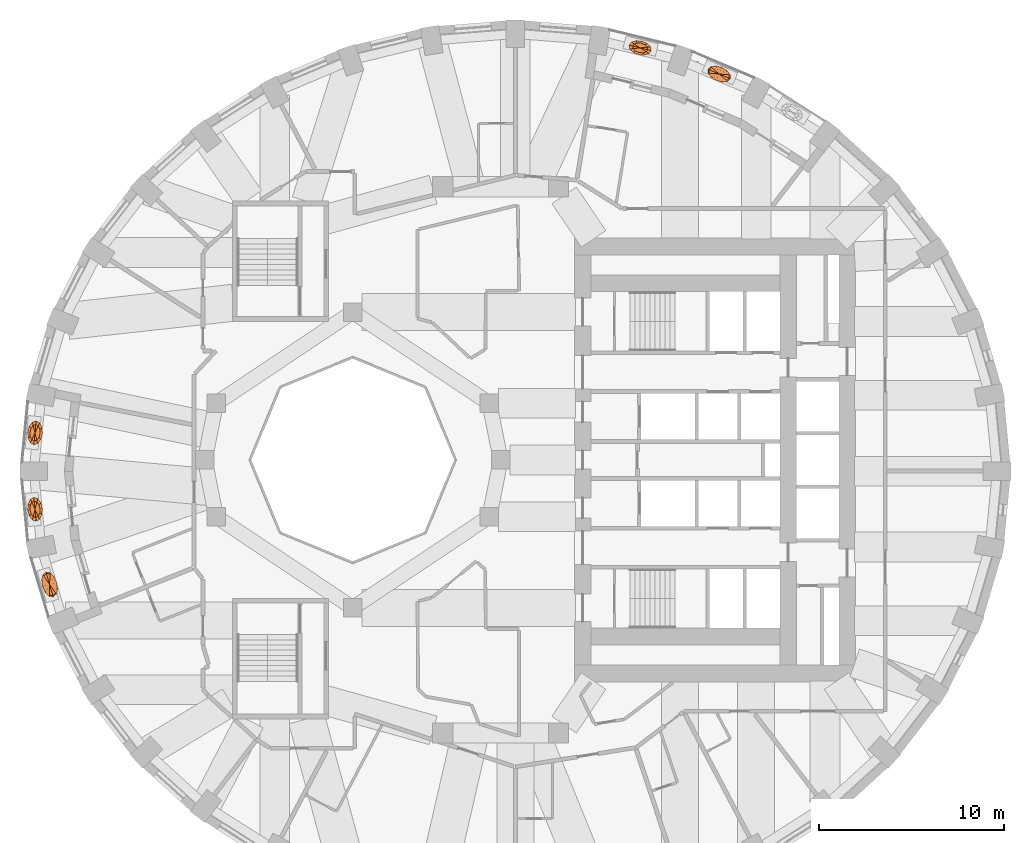
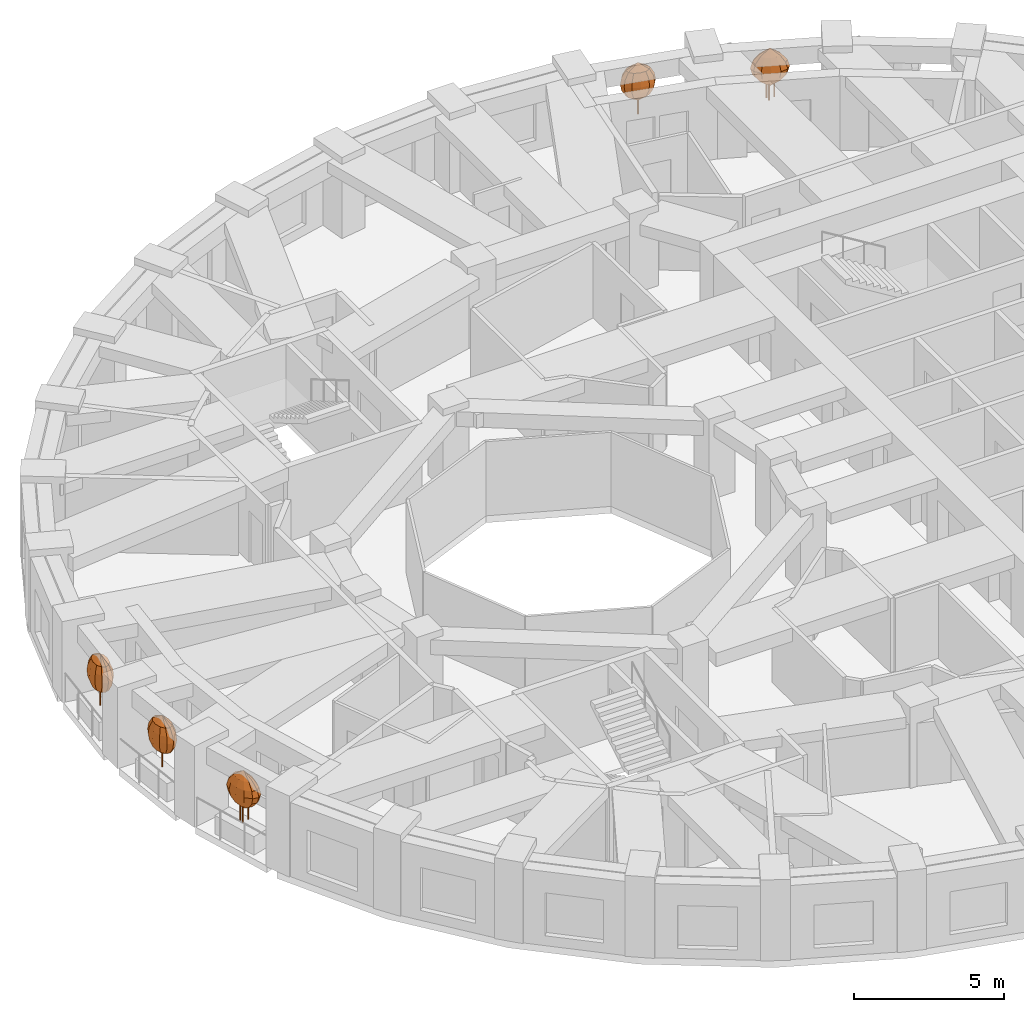
# One storey, part 11 of 12: 5 geographic elements.
"""IFC4 building model written with IfcOpenShell, lengths in metres."""

from ifc_helpers import new_model, si_unit, direction, frame, origin, place, context, subcontext, project, spatial, faceted_brep, material, constituent, constituent_set, type_object, element, save


model = new_model("IFC4")

# Units and contexts
model_context = context("Model", 3, precision=1e-05, world=origin(), true_north=direction((0.0, 1.0)))
body_context = subcontext(model_context, "Body", "Model", "MODEL_VIEW")
ifc_project = project(units=[si_unit("LENGTHUNIT", "METRE"), si_unit("AREAUNIT", "SQUARE_METRE"), si_unit("VOLUMEUNIT", "CUBIC_METRE"), si_unit("PLANEANGLEUNIT", "RADIAN"), si_unit("MASSUNIT", "GRAM", prefix="KILO")], contexts=[model_context])

# Site, building, storey
site_placement = place(None, origin())
site = spatial("IfcSite", under=ifc_project, at=site_placement, CompositionType="ELEMENT")
building_placement = place(site_placement, origin())
building = spatial("IfcBuilding", under=site, at=building_placement, Name="Taillehof Tower", CompositionType="ELEMENT")
storey_placement = place(building_placement, frame((0.0, 0.0, 98.800048828125)))
storey = spatial("IfcBuildingStorey", under=building, at=storey_placement, Name="L27", CompositionType="ELEMENT", Elevation=98.800048828125)

# Geographic elements
ifc_material_1 = material(Name="Tree bark", Category="timber")
ifc_constituent_1 = constituent(ifc_material_1, Name="Trunk", Category="timber")
ifc_material_2 = material(Name="Tree foliage")
ifc_constituent_2 = constituent(ifc_material_2, Name="Crown")
ifc_constituent_set_1 = constituent_set(constituents=[ifc_constituent_1, ifc_constituent_2], Name="Tree TR1 Columnar hornbeam")
geographic_element_type_1 = type_object("IfcGeographicElementType", Name="Tree TR1 Columnar hornbeam", PredefinedType="USERDEFINED", material=ifc_constituent_set_1)
geographic_element_1_placement = place(storey_placement, frame((7.5498046875, 22.290771484375, 0.75)))
element("IfcGeographicElement", 1, at=geographic_element_1_placement, inside=storey, type_object=geographic_element_type_1, Name="Tree TR1 Columnar hornbeam", ObjectType="TREE", PredefinedType="USERDEFINED", context=body_context, shape_type="Brep", body=[
    faceted_brep([(0.030029296875, 0.0, 0.0), (0.021240234375, 0.021240234375, 0.0), (0.021240234375, 0.021240234375, 1.092529296875), (0.030029296875, 0.0, 1.092529296875), (0.0, 0.030029296875, 0.0), (0.0, 0.030029296875, 1.092529296875), (-0.021240234375, 0.021240234375, 0.0), (-0.021240234375, 0.021240234375, 1.092529296875), (-0.030029296875, 0.0, 0.0), (-0.030029296875, 0.0, 1.092529296875), (-0.021240234375, -0.021240234375, 0.0), (-0.021240234375, -0.021240234375, 1.092529296875), (0.0, -0.030029296875, 0.0), (0.0, -0.030029296875, 1.092529296875), (0.021240234375, -0.021240234375, 0.0), (0.021240234375, -0.021240234375, 1.092529296875)], [[[0, 1, 2, 3]], [[1, 4, 5, 2]], [[4, 6, 7, 5]], [[6, 8, 9, 7]], [[8, 10, 11, 9]], [[10, 12, 13, 11]], [[12, 14, 15, 13]], [[14, 0, 3, 15]], [[14, 12, 10, 8, 6, 4, 1, 0]], [[3, 2, 5, 7, 9, 11, 13, 15]]]),
    faceted_brep([(0.0, 0.0, 0.550048828125), (-0.385498046875, -0.039794921875, 0.808349609375), (-0.409912109375, 0.099609375, 0.808349609375), (-0.258056640625, -0.16845703125, 0.808349609375), (-0.061279296875, -0.252197265625, 0.808349609375), (0.15185546875, -0.268310546875, 0.808349609375), (0.32421875, -0.21240234375, 0.808349609375), (0.409912109375, -0.099609375, 0.808349609375), (0.385498046875, 0.039794921875, 0.808349609375), (0.258056640625, 0.16845703125, 0.808349609375), (0.061279296875, 0.252197265625, 0.808349609375), (-0.15185546875, 0.268310546875, 0.808349609375), (-0.32421875, 0.21240234375, 0.808349609375), (-0.521484375, -0.0537109375, 1.066650390625), (-0.554443359375, 0.134765625, 1.066650390625), (-0.34912109375, -0.22802734375, 1.066650390625), (-0.0830078125, -0.341064453125, 1.066650390625), (0.205322265625, -0.36279296875, 1.066650390625), (0.4384765625, -0.287353515625, 1.066650390625), (0.554443359375, -0.134765625, 1.066650390625), (0.521484375, 0.0537109375, 1.066650390625), (0.34912109375, 0.22802734375, 1.066650390625), (0.0830078125, 0.341064453125, 1.066650390625), (-0.205322265625, 0.36279296875, 1.066650390625), (-0.4384765625, 0.287353515625, 1.066650390625), (-0.564453125, -0.05810546875, 1.324951171875), (-0.60009765625, 0.14599609375, 1.324951171875), (-0.377685546875, -0.246826171875, 1.324951171875), (-0.08984375, -0.369140625, 1.324951171875), (0.22216796875, -0.392822265625, 1.324951171875), (0.474609375, -0.31103515625, 1.324951171875), (0.60009765625, -0.14599609375, 1.324951171875), (0.564453125, 0.05810546875, 1.324951171875), (0.377685546875, 0.246826171875, 1.324951171875), (0.08984375, 0.369140625, 1.324951171875), (-0.22216796875, 0.392822265625, 1.324951171875), (-0.474609375, 0.31103515625, 1.324951171875), (-0.521484375, -0.0537109375, 1.583251953125), (-0.554443359375, 0.134765625, 1.583251953125), (-0.34912109375, -0.22802734375, 1.583251953125), (-0.0830078125, -0.341064453125, 1.583251953125), (0.205322265625, -0.36279296875, 1.583251953125), (0.4384765625, -0.287353515625, 1.583251953125), (0.554443359375, -0.134765625, 1.583251953125), (0.521484375, 0.0537109375, 1.583251953125), (0.34912109375, 0.22802734375, 1.583251953125), (0.0830078125, 0.341064453125, 1.583251953125), (-0.205322265625, 0.36279296875, 1.583251953125), (-0.4384765625, 0.287353515625, 1.583251953125), (-0.385498046875, -0.039794921875, 1.841552734375), (-0.409912109375, 0.099609375, 1.841552734375), (-0.258056640625, -0.16845703125, 1.841552734375), (-0.061279296875, -0.252197265625, 1.841552734375), (0.15185546875, -0.268310546875, 1.841552734375), (0.32421875, -0.21240234375, 1.841552734375), (0.409912109375, -0.099609375, 1.841552734375), (0.385498046875, 0.039794921875, 1.841552734375), (0.258056640625, 0.16845703125, 1.841552734375), (0.061279296875, 0.252197265625, 1.841552734375), (-0.15185546875, 0.268310546875, 1.841552734375), (-0.32421875, 0.21240234375, 1.841552734375), (0.0, 0.0, 2.10009765625)], [[[0, 1, 2]], [[0, 3, 1]], [[0, 4, 3]], [[0, 5, 4]], [[0, 6, 5]], [[0, 7, 6]], [[0, 8, 7]], [[0, 9, 8]], [[0, 10, 9]], [[0, 11, 10]], [[0, 12, 11]], [[0, 2, 12]], [[2, 1, 13, 14]], [[1, 3, 15, 13]], [[3, 4, 16, 15]], [[4, 5, 17, 16]], [[5, 6, 18, 17]], [[6, 7, 19, 18]], [[7, 8, 20, 19]], [[8, 9, 21, 20]], [[9, 10, 22, 21]], [[10, 11, 23, 22]], [[11, 12, 24, 23]], [[12, 2, 14, 24]], [[14, 13, 25, 26]], [[13, 15, 27, 25]], [[15, 16, 28, 27]], [[16, 17, 29, 28]], [[17, 18, 30, 29]], [[18, 19, 31, 30]], [[19, 20, 32, 31]], [[20, 21, 33, 32]], [[21, 22, 34, 33]], [[22, 23, 35, 34]], [[23, 24, 36, 35]], [[24, 14, 26, 36]], [[26, 25, 37, 38]], [[25, 27, 39, 37]], [[27, 28, 40, 39]], [[28, 29, 41, 40]], [[29, 30, 42, 41]], [[30, 31, 43, 42]], [[31, 32, 44, 43]], [[32, 33, 45, 44]], [[33, 34, 46, 45]], [[34, 35, 47, 46]], [[35, 36, 48, 47]], [[36, 26, 38, 48]], [[38, 37, 49, 50]], [[37, 39, 51, 49]], [[39, 40, 52, 51]], [[40, 41, 53, 52]], [[41, 42, 54, 53]], [[42, 43, 55, 54]], [[43, 44, 56, 55]], [[44, 45, 57, 56]], [[45, 46, 58, 57]], [[46, 47, 59, 58]], [[47, 48, 60, 59]], [[48, 38, 50, 60]], [[50, 49, 61]], [[49, 51, 61]], [[51, 52, 61]], [[52, 53, 61]], [[53, 54, 61]], [[54, 55, 61]], [[55, 56, 61]], [[56, 57, 61]], [[57, 58, 61]], [[58, 59, 61]], [[59, 60, 61]], [[60, 50, 61]]]),
])
geographic_element_2_placement = place(storey_placement, frame((-25.18798828125, 1.46630859375, 0.75)))
element("IfcGeographicElement", 2, at=geographic_element_2_placement, inside=storey, type_object=geographic_element_type_1, Name="Tree TR1 Columnar hornbeam", ObjectType="TREE", PredefinedType="USERDEFINED", context=body_context, shape_type="Brep", body=[
    faceted_brep([(0.030029296875, 0.0, 0.0), (0.021240234375, 0.021240234375, 0.0), (0.021240234375, 0.021240234375, 1.092529296875), (0.030029296875, 0.0, 1.092529296875), (0.0, 0.030029296875, 0.0), (0.0, 0.030029296875, 1.092529296875), (-0.021240234375, 0.021240234375, 0.0), (-0.021240234375, 0.021240234375, 1.092529296875), (-0.030029296875, 0.0, 0.0), (-0.030029296875, 0.0, 1.092529296875), (-0.021240234375, -0.021240234375, 0.0), (-0.021240234375, -0.021240234375, 1.092529296875), (0.0, -0.030029296875, 0.0), (0.0, -0.030029296875, 1.092529296875), (0.021240234375, -0.021240234375, 0.0), (0.021240234375, -0.021240234375, 1.092529296875)], [[[0, 1, 2, 3]], [[1, 4, 5, 2]], [[4, 6, 7, 5]], [[6, 8, 9, 7]], [[8, 10, 11, 9]], [[10, 12, 13, 11]], [[12, 14, 15, 13]], [[14, 0, 3, 15]], [[14, 12, 10, 8, 6, 4, 1, 0]], [[3, 2, 5, 7, 9, 11, 13, 15]]]),
    faceted_brep([(0.0, 0.0, 0.550048828125), (0.09912109375, -0.395751953125, 0.808349609375), (-0.04248046875, -0.44189453125, 0.808349609375), (0.214111328125, -0.24365234375, 0.808349609375), (0.27197265625, -0.026123046875, 0.808349609375), (0.2568359375, 0.1982421875, 0.808349609375), (0.1728515625, 0.36962890625, 0.808349609375), (0.04248046875, 0.44189453125, 0.808349609375), (-0.09912109375, 0.395751953125, 0.808349609375), (-0.214111328125, 0.24365234375, 0.808349609375), (-0.27197265625, 0.026123046875, 0.808349609375), (-0.2568359375, -0.1982421875, 0.808349609375), (-0.1728515625, -0.36962890625, 0.808349609375), (0.134033203125, -0.535400390625, 1.066650390625), (-0.0576171875, -0.597900390625, 1.066650390625), (0.289794921875, -0.32958984375, 1.066650390625), (0.367919921875, -0.035400390625, 1.066650390625), (0.347412109375, 0.268310546875, 1.066650390625), (0.23388671875, 0.5, 1.066650390625), (0.0576171875, 0.597900390625, 1.066650390625), (-0.134033203125, 0.535400390625, 1.066650390625), (-0.289794921875, 0.32958984375, 1.066650390625), (-0.367919921875, 0.035400390625, 1.066650390625), (-0.347412109375, -0.268310546875, 1.066650390625), (-0.23388671875, -0.5, 1.066650390625), (0.14501953125, -0.57958984375, 1.324951171875), (-0.062255859375, -0.64697265625, 1.324951171875), (0.313720703125, -0.356689453125, 1.324951171875), (0.398193359375, -0.038330078125, 1.324951171875), (0.3759765625, 0.290283203125, 1.324951171875), (0.253173828125, 0.541259765625, 1.324951171875), (0.062255859375, 0.64697265625, 1.324951171875), (-0.14501953125, 0.57958984375, 1.324951171875), (-0.313720703125, 0.356689453125, 1.324951171875), (-0.398193359375, 0.038330078125, 1.324951171875), (-0.3759765625, -0.290283203125, 1.324951171875), (-0.253173828125, -0.541259765625, 1.324951171875), (0.134033203125, -0.535400390625, 1.583251953125), (-0.0576171875, -0.597900390625, 1.583251953125), (0.289794921875, -0.32958984375, 1.583251953125), (0.367919921875, -0.035400390625, 1.583251953125), (0.347412109375, 0.268310546875, 1.583251953125), (0.23388671875, 0.5, 1.583251953125), (0.0576171875, 0.597900390625, 1.583251953125), (-0.134033203125, 0.535400390625, 1.583251953125), (-0.289794921875, 0.32958984375, 1.583251953125), (-0.367919921875, 0.035400390625, 1.583251953125), (-0.347412109375, -0.268310546875, 1.583251953125), (-0.23388671875, -0.5, 1.583251953125), (0.09912109375, -0.395751953125, 1.841552734375), (-0.04248046875, -0.44189453125, 1.841552734375), (0.214111328125, -0.24365234375, 1.841552734375), (0.27197265625, -0.026123046875, 1.841552734375), (0.2568359375, 0.1982421875, 1.841552734375), (0.1728515625, 0.36962890625, 1.841552734375), (0.04248046875, 0.44189453125, 1.841552734375), (-0.09912109375, 0.395751953125, 1.841552734375), (-0.214111328125, 0.24365234375, 1.841552734375), (-0.27197265625, 0.026123046875, 1.841552734375), (-0.2568359375, -0.1982421875, 1.841552734375), (-0.1728515625, -0.36962890625, 1.841552734375), (0.0, 0.0, 2.10009765625)], [[[0, 1, 2]], [[0, 3, 1]], [[0, 4, 3]], [[0, 5, 4]], [[0, 6, 5]], [[0, 7, 6]], [[0, 8, 7]], [[0, 9, 8]], [[0, 10, 9]], [[0, 11, 10]], [[0, 12, 11]], [[0, 2, 12]], [[2, 1, 13, 14]], [[1, 3, 15, 13]], [[3, 4, 16, 15]], [[4, 5, 17, 16]], [[5, 6, 18, 17]], [[6, 7, 19, 18]], [[7, 8, 20, 19]], [[8, 9, 21, 20]], [[9, 10, 22, 21]], [[10, 11, 23, 22]], [[11, 12, 24, 23]], [[12, 2, 14, 24]], [[14, 13, 25, 26]], [[13, 15, 27, 25]], [[15, 16, 28, 27]], [[16, 17, 29, 28]], [[17, 18, 30, 29]], [[18, 19, 31, 30]], [[19, 20, 32, 31]], [[20, 21, 33, 32]], [[21, 22, 34, 33]], [[22, 23, 35, 34]], [[23, 24, 36, 35]], [[24, 14, 26, 36]], [[26, 25, 37, 38]], [[25, 27, 39, 37]], [[27, 28, 40, 39]], [[28, 29, 41, 40]], [[29, 30, 42, 41]], [[30, 31, 43, 42]], [[31, 32, 44, 43]], [[32, 33, 45, 44]], [[33, 34, 46, 45]], [[34, 35, 47, 46]], [[35, 36, 48, 47]], [[36, 26, 38, 48]], [[38, 37, 49, 50]], [[37, 39, 51, 49]], [[39, 40, 52, 51]], [[40, 41, 53, 52]], [[41, 42, 54, 53]], [[42, 43, 55, 54]], [[43, 44, 56, 55]], [[44, 45, 57, 56]], [[45, 46, 58, 57]], [[46, 47, 59, 58]], [[47, 48, 60, 59]], [[48, 38, 50, 60]], [[50, 49, 61]], [[49, 51, 61]], [[51, 52, 61]], [[52, 53, 61]], [[53, 54, 61]], [[54, 55, 61]], [[55, 56, 61]], [[56, 57, 61]], [[57, 58, 61]], [[58, 59, 61]], [[59, 60, 61]], [[60, 50, 61]]]),
])
geographic_element_3_placement = place(storey_placement, frame((-25.18798828125, -2.666259765625, 0.75)))
element("IfcGeographicElement", 3, at=geographic_element_3_placement, inside=storey, type_object=geographic_element_type_1, Name="Tree TR1 Columnar hornbeam", ObjectType="TREE", PredefinedType="USERDEFINED", context=body_context, shape_type="Brep", body=[
    faceted_brep([(0.030029296875, 0.0, 0.0), (0.021240234375, 0.021240234375, 0.0), (0.021240234375, 0.021240234375, 1.092529296875), (0.030029296875, 0.0, 1.092529296875), (0.0, 0.030029296875, 0.0), (0.0, 0.030029296875, 1.092529296875), (-0.021240234375, 0.021240234375, 0.0), (-0.021240234375, 0.021240234375, 1.092529296875), (-0.030029296875, 0.0, 0.0), (-0.030029296875, 0.0, 1.092529296875), (-0.021240234375, -0.021240234375, 0.0), (-0.021240234375, -0.021240234375, 1.092529296875), (0.0, -0.030029296875, 0.0), (0.0, -0.030029296875, 1.092529296875), (0.021240234375, -0.021240234375, 0.0), (0.021240234375, -0.021240234375, 1.092529296875)], [[[0, 1, 2, 3]], [[1, 4, 5, 2]], [[4, 6, 7, 5]], [[6, 8, 9, 7]], [[8, 10, 11, 9]], [[10, 12, 13, 11]], [[12, 14, 15, 13]], [[14, 0, 3, 15]], [[14, 12, 10, 8, 6, 4, 1, 0]], [[3, 2, 5, 7, 9, 11, 13, 15]]]),
    faceted_brep([(0.0, 0.0, 0.550048828125), (0.1728515625, -0.36962890625, 0.808349609375), (0.04248046875, -0.44189453125, 0.808349609375), (0.2568359375, -0.1982421875, 0.808349609375), (0.27197265625, 0.026123046875, 0.808349609375), (0.214111328125, 0.24365234375, 0.808349609375), (0.09912109375, 0.395751953125, 0.808349609375), (-0.04248046875, 0.44189453125, 0.808349609375), (-0.1728515625, 0.36962890625, 0.808349609375), (-0.2568359375, 0.1982421875, 0.808349609375), (-0.27197265625, -0.026123046875, 0.808349609375), (-0.214111328125, -0.24365234375, 0.808349609375), (-0.09912109375, -0.395751953125, 0.808349609375), (0.23388671875, -0.5, 1.066650390625), (0.0576171875, -0.597900390625, 1.066650390625), (0.347412109375, -0.268310546875, 1.066650390625), (0.367919921875, 0.035400390625, 1.066650390625), (0.289794921875, 0.32958984375, 1.066650390625), (0.134033203125, 0.535400390625, 1.066650390625), (-0.0576171875, 0.597900390625, 1.066650390625), (-0.23388671875, 0.5, 1.066650390625), (-0.347412109375, 0.268310546875, 1.066650390625), (-0.367919921875, -0.035400390625, 1.066650390625), (-0.289794921875, -0.32958984375, 1.066650390625), (-0.134033203125, -0.535400390625, 1.066650390625), (0.253173828125, -0.541259765625, 1.324951171875), (0.062255859375, -0.64697265625, 1.324951171875), (0.3759765625, -0.290283203125, 1.324951171875), (0.398193359375, 0.038330078125, 1.324951171875), (0.313720703125, 0.356689453125, 1.324951171875), (0.14501953125, 0.57958984375, 1.324951171875), (-0.062255859375, 0.64697265625, 1.324951171875), (-0.253173828125, 0.541259765625, 1.324951171875), (-0.3759765625, 0.290283203125, 1.324951171875), (-0.398193359375, -0.038330078125, 1.324951171875), (-0.313720703125, -0.356689453125, 1.324951171875), (-0.14501953125, -0.57958984375, 1.324951171875), (0.23388671875, -0.5, 1.583251953125), (0.0576171875, -0.597900390625, 1.583251953125), (0.347412109375, -0.268310546875, 1.583251953125), (0.367919921875, 0.035400390625, 1.583251953125), (0.289794921875, 0.32958984375, 1.583251953125), (0.134033203125, 0.535400390625, 1.583251953125), (-0.0576171875, 0.597900390625, 1.583251953125), (-0.23388671875, 0.5, 1.583251953125), (-0.347412109375, 0.268310546875, 1.583251953125), (-0.367919921875, -0.035400390625, 1.583251953125), (-0.289794921875, -0.32958984375, 1.583251953125), (-0.134033203125, -0.535400390625, 1.583251953125), (0.1728515625, -0.36962890625, 1.841552734375), (0.04248046875, -0.44189453125, 1.841552734375), (0.2568359375, -0.1982421875, 1.841552734375), (0.27197265625, 0.026123046875, 1.841552734375), (0.214111328125, 0.24365234375, 1.841552734375), (0.09912109375, 0.395751953125, 1.841552734375), (-0.04248046875, 0.44189453125, 1.841552734375), (-0.1728515625, 0.36962890625, 1.841552734375), (-0.2568359375, 0.1982421875, 1.841552734375), (-0.27197265625, -0.026123046875, 1.841552734375), (-0.214111328125, -0.24365234375, 1.841552734375), (-0.09912109375, -0.395751953125, 1.841552734375), (0.0, 0.0, 2.10009765625)], [[[0, 1, 2]], [[0, 3, 1]], [[0, 4, 3]], [[0, 5, 4]], [[0, 6, 5]], [[0, 7, 6]], [[0, 8, 7]], [[0, 9, 8]], [[0, 10, 9]], [[0, 11, 10]], [[0, 12, 11]], [[0, 2, 12]], [[2, 1, 13, 14]], [[1, 3, 15, 13]], [[3, 4, 16, 15]], [[4, 5, 17, 16]], [[5, 6, 18, 17]], [[6, 7, 19, 18]], [[7, 8, 20, 19]], [[8, 9, 21, 20]], [[9, 10, 22, 21]], [[10, 11, 23, 22]], [[11, 12, 24, 23]], [[12, 2, 14, 24]], [[14, 13, 25, 26]], [[13, 15, 27, 25]], [[15, 16, 28, 27]], [[16, 17, 29, 28]], [[17, 18, 30, 29]], [[18, 19, 31, 30]], [[19, 20, 32, 31]], [[20, 21, 33, 32]], [[21, 22, 34, 33]], [[22, 23, 35, 34]], [[23, 24, 36, 35]], [[24, 14, 26, 36]], [[26, 25, 37, 38]], [[25, 27, 39, 37]], [[27, 28, 40, 39]], [[28, 29, 41, 40]], [[29, 30, 42, 41]], [[30, 31, 43, 42]], [[31, 32, 44, 43]], [[32, 33, 45, 44]], [[33, 34, 46, 45]], [[34, 35, 47, 46]], [[35, 36, 48, 47]], [[36, 26, 38, 48]], [[38, 37, 49, 50]], [[37, 39, 51, 49]], [[39, 40, 52, 51]], [[40, 41, 53, 52]], [[41, 42, 54, 53]], [[42, 43, 55, 54]], [[43, 44, 56, 55]], [[44, 45, 57, 56]], [[45, 46, 58, 57]], [[46, 47, 59, 58]], [[47, 48, 60, 59]], [[48, 38, 50, 60]], [[50, 49, 61]], [[49, 51, 61]], [[51, 52, 61]], [[52, 53, 61]], [[53, 54, 61]], [[54, 55, 61]], [[55, 56, 61]], [[56, 57, 61]], [[57, 58, 61]], [[58, 59, 61]], [[59, 60, 61]], [[60, 50, 61]]]),
])
ifc_material_3 = material(Name="Tree bark", Category="timber")
ifc_constituent_3 = constituent(ifc_material_3, Name="Trunk", Category="timber")
ifc_material_4 = material(Name="Tree foliage")
ifc_constituent_4 = constituent(ifc_material_4, Name="Crown")
ifc_constituent_set_2 = constituent_set(constituents=[ifc_constituent_3, ifc_constituent_4], Name="Tree TR3 Multi-stem serviceberry")
geographic_element_type_2 = type_object("IfcGeographicElementType", Name="Tree TR3 Multi-stem serviceberry", PredefinedType="USERDEFINED", material=ifc_constituent_set_2)
geographic_element_4_placement = place(storey_placement, frame((11.82177734375, 20.87890625, 0.75)))
element("IfcGeographicElement", 4, at=geographic_element_4_placement, inside=storey, type_object=geographic_element_type_2, Name="Tree TR3 Multi-stem serviceberry", ObjectType="TREE", PredefinedType="USERDEFINED", context=body_context, shape_type="Brep", body=[
    faceted_brep([(0.195068359375, 0.0, 0.0), (0.186767578125, 0.0205078125, 0.0), (0.186767578125, 0.0205078125, 1.04248046875), (0.195068359375, 0.0, 1.04248046875), (0.166259765625, 0.02880859375, 0.0), (0.166259765625, 0.02880859375, 1.04248046875), (0.145751953125, 0.0205078125, 0.0), (0.145751953125, 0.0205078125, 1.04248046875), (0.137451171875, 0.0, 0.0), (0.137451171875, 0.0, 1.04248046875), (0.145751953125, -0.0205078125, 0.0), (0.145751953125, -0.0205078125, 1.04248046875), (0.166259765625, -0.02880859375, 0.0), (0.166259765625, -0.02880859375, 1.04248046875), (0.186767578125, -0.0205078125, 0.0), (0.186767578125, -0.0205078125, 1.04248046875)], [[[0, 1, 2, 3]], [[1, 4, 5, 2]], [[4, 6, 7, 5]], [[6, 8, 9, 7]], [[8, 10, 11, 9]], [[10, 12, 13, 11]], [[12, 14, 15, 13]], [[14, 0, 3, 15]], [[14, 12, 10, 8, 6, 4, 1, 0]], [[3, 2, 5, 7, 9, 11, 13, 15]]]),
    faceted_brep([(-0.05419921875, 0.082275390625, 0.0), (-0.062744140625, 0.102783203125, 0.0), (-0.062744140625, 0.102783203125, 1.04248046875), (-0.05419921875, 0.082275390625, 1.04248046875), (-0.0830078125, 0.111083984375, 0.0), (-0.0830078125, 0.111083984375, 1.04248046875), (-0.103515625, 0.102783203125, 0.0), (-0.103515625, 0.102783203125, 1.04248046875), (-0.112060546875, 0.082275390625, 0.0), (-0.112060546875, 0.082275390625, 1.04248046875), (-0.103515625, 0.061767578125, 0.0), (-0.103515625, 0.061767578125, 1.04248046875), (-0.0830078125, 0.053466796875, 0.0), (-0.0830078125, 0.053466796875, 1.04248046875), (-0.062744140625, 0.061767578125, 0.0), (-0.062744140625, 0.061767578125, 1.04248046875)], [[[0, 1, 2, 3]], [[1, 4, 5, 2]], [[4, 6, 7, 5]], [[6, 8, 9, 7]], [[8, 10, 11, 9]], [[10, 12, 13, 11]], [[12, 14, 15, 13]], [[14, 0, 3, 15]], [[14, 12, 10, 8, 6, 4, 1, 0]], [[3, 2, 5, 7, 9, 11, 13, 15]]]),
    faceted_brep([(-0.05419921875, -0.082275390625, 0.0), (-0.062744140625, -0.061767578125, 0.0), (-0.062744140625, -0.061767578125, 1.04248046875), (-0.05419921875, -0.082275390625, 1.04248046875), (-0.0830078125, -0.053466796875, 0.0), (-0.0830078125, -0.053466796875, 1.04248046875), (-0.103515625, -0.061767578125, 0.0), (-0.103515625, -0.061767578125, 1.04248046875), (-0.112060546875, -0.082275390625, 0.0), (-0.112060546875, -0.082275390625, 1.04248046875), (-0.103515625, -0.102783203125, 0.0), (-0.103515625, -0.102783203125, 1.04248046875), (-0.0830078125, -0.111083984375, 0.0), (-0.0830078125, -0.111083984375, 1.04248046875), (-0.062744140625, -0.102783203125, 0.0), (-0.062744140625, -0.102783203125, 1.04248046875)], [[[0, 1, 2, 3]], [[1, 4, 5, 2]], [[4, 6, 7, 5]], [[6, 8, 9, 7]], [[8, 10, 11, 9]], [[10, 12, 13, 11]], [[12, 14, 15, 13]], [[14, 0, 3, 15]], [[14, 12, 10, 8, 6, 4, 1, 0]], [[3, 2, 5, 7, 9, 11, 13, 15]]]),
    faceted_brep([(0.0, 0.0, 0.5), (-0.34716796875, 0.028564453125, 0.75830078125), (-0.351806640625, 0.14892578125, 0.75830078125), (-0.24951171875, -0.099609375, 0.75830078125), (-0.085205078125, -0.200927734375, 0.75830078125), (0.10205078125, -0.24853515625, 0.75830078125), (0.261962890625, -0.2294921875, 0.75830078125), (0.351806640625, -0.14892578125, 0.75830078125), (0.34716796875, -0.028564453125, 0.75830078125), (0.24951171875, 0.099609375, 0.75830078125), (0.085205078125, 0.200927734375, 0.75830078125), (-0.10205078125, 0.24853515625, 0.75830078125), (-0.261962890625, 0.2294921875, 0.75830078125), (-0.538818359375, 0.044189453125, 1.0166015625), (-0.5458984375, 0.231201171875, 1.0166015625), (-0.38720703125, -0.154541015625, 1.0166015625), (-0.132080078125, -0.31201171875, 1.0166015625), (0.158447265625, -0.3857421875, 1.0166015625), (0.40673828125, -0.356201171875, 1.0166015625), (0.5458984375, -0.231201171875, 1.0166015625), (0.538818359375, -0.044189453125, 1.0166015625), (0.38720703125, 0.154541015625, 1.0166015625), (0.132080078125, 0.31201171875, 1.0166015625), (-0.158447265625, 0.3857421875, 1.0166015625), (-0.40673828125, 0.356201171875, 1.0166015625), (-0.6044921875, 0.049560546875, 1.27490234375), (-0.6123046875, 0.25927734375, 1.27490234375), (-0.4345703125, -0.17333984375, 1.27490234375), (-0.148193359375, -0.349853515625, 1.27490234375), (0.177978515625, -0.4326171875, 1.27490234375), (0.456298828125, -0.3994140625, 1.27490234375), (0.6123046875, -0.25927734375, 1.27490234375), (0.6044921875, -0.049560546875, 1.27490234375), (0.4345703125, 0.17333984375, 1.27490234375), (0.148193359375, 0.349853515625, 1.27490234375), (-0.177978515625, 0.4326171875, 1.27490234375), (-0.456298828125, 0.3994140625, 1.27490234375), (-0.538818359375, 0.044189453125, 1.533447265625), (-0.5458984375, 0.231201171875, 1.533447265625), (-0.38720703125, -0.154541015625, 1.533447265625), (-0.132080078125, -0.31201171875, 1.533447265625), (0.158447265625, -0.3857421875, 1.533447265625), (0.40673828125, -0.356201171875, 1.533447265625), (0.5458984375, -0.231201171875, 1.533447265625), (0.538818359375, -0.044189453125, 1.533447265625), (0.38720703125, 0.154541015625, 1.533447265625), (0.132080078125, 0.31201171875, 1.533447265625), (-0.158447265625, 0.3857421875, 1.533447265625), (-0.40673828125, 0.356201171875, 1.533447265625), (-0.34716796875, 0.028564453125, 1.791748046875), (-0.351806640625, 0.14892578125, 1.791748046875), (-0.24951171875, -0.099609375, 1.791748046875), (-0.085205078125, -0.200927734375, 1.791748046875), (0.10205078125, -0.24853515625, 1.791748046875), (0.261962890625, -0.2294921875, 1.791748046875), (0.351806640625, -0.14892578125, 1.791748046875), (0.34716796875, -0.028564453125, 1.791748046875), (0.24951171875, 0.099609375, 1.791748046875), (0.085205078125, 0.200927734375, 1.791748046875), (-0.10205078125, 0.24853515625, 1.791748046875), (-0.261962890625, 0.2294921875, 1.791748046875), (0.0, 0.0, 2.050048828125)], [[[0, 1, 2]], [[0, 3, 1]], [[0, 4, 3]], [[0, 5, 4]], [[0, 6, 5]], [[0, 7, 6]], [[0, 8, 7]], [[0, 9, 8]], [[0, 10, 9]], [[0, 11, 10]], [[0, 12, 11]], [[0, 2, 12]], [[2, 1, 13, 14]], [[1, 3, 15, 13]], [[3, 4, 16, 15]], [[4, 5, 17, 16]], [[5, 6, 18, 17]], [[6, 7, 19, 18]], [[7, 8, 20, 19]], [[8, 9, 21, 20]], [[9, 10, 22, 21]], [[10, 11, 23, 22]], [[11, 12, 24, 23]], [[12, 2, 14, 24]], [[14, 13, 25, 26]], [[13, 15, 27, 25]], [[15, 16, 28, 27]], [[16, 17, 29, 28]], [[17, 18, 30, 29]], [[18, 19, 31, 30]], [[19, 20, 32, 31]], [[20, 21, 33, 32]], [[21, 22, 34, 33]], [[22, 23, 35, 34]], [[23, 24, 36, 35]], [[24, 14, 26, 36]], [[26, 25, 37, 38]], [[25, 27, 39, 37]], [[27, 28, 40, 39]], [[28, 29, 41, 40]], [[29, 30, 42, 41]], [[30, 31, 43, 42]], [[31, 32, 44, 43]], [[32, 33, 45, 44]], [[33, 34, 46, 45]], [[34, 35, 47, 46]], [[35, 36, 48, 47]], [[36, 26, 38, 48]], [[38, 37, 49, 50]], [[37, 39, 51, 49]], [[39, 40, 52, 51]], [[40, 41, 53, 52]], [[41, 42, 54, 53]], [[42, 43, 55, 54]], [[43, 44, 56, 55]], [[44, 45, 57, 56]], [[45, 46, 58, 57]], [[46, 47, 59, 58]], [[47, 48, 60, 59]], [[48, 38, 50, 60]], [[50, 49, 61]], [[49, 51, 61]], [[51, 52, 61]], [[52, 53, 61]], [[53, 54, 61]], [[54, 55, 61]], [[55, 56, 61]], [[56, 57, 61]], [[57, 58, 61]], [[58, 59, 61]], [[59, 60, 61]], [[60, 50, 61]]]),
])
geographic_element_5_placement = place(storey_placement, frame((-24.39794921875, -6.73583984375, 0.75)))
element("IfcGeographicElement", 5, at=geographic_element_5_placement, inside=storey, type_object=geographic_element_type_2, Name="Tree TR3 Multi-stem serviceberry", ObjectType="TREE", PredefinedType="USERDEFINED", context=body_context, shape_type="Brep", body=[
    faceted_brep([(0.203857421875, 0.0, 0.0), (0.1953125, 0.0205078125, 0.0), (0.1953125, 0.0205078125, 1.04248046875), (0.203857421875, 0.0, 1.04248046875), (0.175048828125, 0.02880859375, 0.0), (0.175048828125, 0.02880859375, 1.04248046875), (0.154541015625, 0.0205078125, 0.0), (0.154541015625, 0.0205078125, 1.04248046875), (0.146240234375, 0.0, 0.0), (0.146240234375, 0.0, 1.04248046875), (0.154541015625, -0.0205078125, 0.0), (0.154541015625, -0.0205078125, 1.04248046875), (0.175048828125, -0.02880859375, 0.0), (0.175048828125, -0.02880859375, 1.04248046875), (0.1953125, -0.0205078125, 0.0), (0.1953125, -0.0205078125, 1.04248046875)], [[[0, 1, 2, 3]], [[1, 4, 5, 2]], [[4, 6, 7, 5]], [[6, 8, 9, 7]], [[8, 10, 11, 9]], [[10, 12, 13, 11]], [[12, 14, 15, 13]], [[14, 0, 3, 15]], [[14, 12, 10, 8, 6, 4, 1, 0]], [[3, 2, 5, 7, 9, 11, 13, 15]]]),
    faceted_brep([(-0.05859375, 0.086669921875, 0.0), (-0.067138671875, 0.10693359375, 0.0), (-0.067138671875, 0.10693359375, 1.04248046875), (-0.05859375, 0.086669921875, 1.04248046875), (-0.08740234375, 0.115478515625, 0.0), (-0.08740234375, 0.115478515625, 1.04248046875), (-0.10791015625, 0.10693359375, 0.0), (-0.10791015625, 0.10693359375, 1.04248046875), (-0.116455078125, 0.086669921875, 0.0), (-0.116455078125, 0.086669921875, 1.04248046875), (-0.10791015625, 0.066162109375, 0.0), (-0.10791015625, 0.066162109375, 1.04248046875), (-0.08740234375, 0.0576171875, 0.0), (-0.08740234375, 0.0576171875, 1.04248046875), (-0.067138671875, 0.066162109375, 0.0), (-0.067138671875, 0.066162109375, 1.04248046875)], [[[0, 1, 2, 3]], [[1, 4, 5, 2]], [[4, 6, 7, 5]], [[6, 8, 9, 7]], [[8, 10, 11, 9]], [[10, 12, 13, 11]], [[12, 14, 15, 13]], [[14, 0, 3, 15]], [[14, 12, 10, 8, 6, 4, 1, 0]], [[3, 2, 5, 7, 9, 11, 13, 15]]]),
    faceted_brep([(-0.05859375, -0.086669921875, 0.0), (-0.067138671875, -0.066162109375, 0.0), (-0.067138671875, -0.066162109375, 1.04248046875), (-0.05859375, -0.086669921875, 1.04248046875), (-0.08740234375, -0.0576171875, 0.0), (-0.08740234375, -0.0576171875, 1.04248046875), (-0.10791015625, -0.066162109375, 0.0), (-0.10791015625, -0.066162109375, 1.04248046875), (-0.116455078125, -0.086669921875, 0.0), (-0.116455078125, -0.086669921875, 1.04248046875), (-0.10791015625, -0.10693359375, 0.0), (-0.10791015625, -0.10693359375, 1.04248046875), (-0.08740234375, -0.115478515625, 0.0), (-0.08740234375, -0.115478515625, 1.04248046875), (-0.067138671875, -0.10693359375, 0.0), (-0.067138671875, -0.10693359375, 1.04248046875)], [[[0, 1, 2, 3]], [[1, 4, 5, 2]], [[4, 6, 7, 5]], [[6, 8, 9, 7]], [[8, 10, 11, 9]], [[10, 12, 13, 11]], [[12, 14, 15, 13]], [[14, 0, 3, 15]], [[14, 12, 10, 8, 6, 4, 1, 0]], [[3, 2, 5, 7, 9, 11, 13, 15]]]),
    faceted_brep([(0.0, 0.0, 0.5), (0.208740234375, -0.301513671875, 0.75830078125), (0.11376953125, -0.385498046875, 0.75830078125), (0.247802734375, -0.136474609375, 0.75830078125), (0.220458984375, 0.06494140625, 0.75830078125), (0.134033203125, 0.2490234375, 0.75830078125), (0.01171875, 0.366455078125, 0.75830078125), (-0.11376953125, 0.385498046875, 0.75830078125), (-0.208740234375, 0.301513671875, 0.75830078125), (-0.247802734375, 0.136474609375, 0.75830078125), (-0.220458984375, -0.06494140625, 0.75830078125), (-0.134033203125, -0.2490234375, 0.75830078125), (-0.01171875, -0.366455078125, 0.75830078125), (0.323974609375, -0.4677734375, 1.0166015625), (0.176513671875, -0.598388671875, 1.0166015625), (0.384521484375, -0.2119140625, 1.0166015625), (0.342041015625, 0.100830078125, 1.0166015625), (0.207763671875, 0.386474609375, 1.0166015625), (0.01806640625, 0.568603515625, 1.0166015625), (-0.176513671875, 0.598388671875, 1.0166015625), (-0.323974609375, 0.4677734375, 1.0166015625), (-0.384521484375, 0.2119140625, 1.0166015625), (-0.342041015625, -0.100830078125, 1.0166015625), (-0.207763671875, -0.386474609375, 1.0166015625), (-0.01806640625, -0.568603515625, 1.0166015625), (0.36328125, -0.52490234375, 1.27490234375), (0.197998046875, -0.67138671875, 1.27490234375), (0.431396484375, -0.237548828125, 1.27490234375), (0.383544921875, 0.11328125, 1.27490234375), (0.233154296875, 0.433837890625, 1.27490234375), (0.020263671875, 0.637939453125, 1.27490234375), (-0.197998046875, 0.67138671875, 1.27490234375), (-0.36328125, 0.52490234375, 1.27490234375), (-0.431396484375, 0.237548828125, 1.27490234375), (-0.383544921875, -0.11328125, 1.27490234375), (-0.233154296875, -0.433837890625, 1.27490234375), (-0.020263671875, -0.637939453125, 1.27490234375), (0.323974609375, -0.4677734375, 1.533447265625), (0.176513671875, -0.598388671875, 1.533447265625), (0.384521484375, -0.2119140625, 1.533447265625), (0.342041015625, 0.100830078125, 1.533447265625), (0.207763671875, 0.386474609375, 1.533447265625), (0.01806640625, 0.568603515625, 1.533447265625), (-0.176513671875, 0.598388671875, 1.533447265625), (-0.323974609375, 0.4677734375, 1.533447265625), (-0.384521484375, 0.2119140625, 1.533447265625), (-0.342041015625, -0.100830078125, 1.533447265625), (-0.207763671875, -0.386474609375, 1.533447265625), (-0.01806640625, -0.568603515625, 1.533447265625), (0.208740234375, -0.301513671875, 1.791748046875), (0.11376953125, -0.385498046875, 1.791748046875), (0.247802734375, -0.136474609375, 1.791748046875), (0.220458984375, 0.06494140625, 1.791748046875), (0.134033203125, 0.2490234375, 1.791748046875), (0.01171875, 0.366455078125, 1.791748046875), (-0.11376953125, 0.385498046875, 1.791748046875), (-0.208740234375, 0.301513671875, 1.791748046875), (-0.247802734375, 0.136474609375, 1.791748046875), (-0.220458984375, -0.06494140625, 1.791748046875), (-0.134033203125, -0.2490234375, 1.791748046875), (-0.01171875, -0.366455078125, 1.791748046875), (0.0, 0.0, 2.050048828125)], [[[0, 1, 2]], [[0, 3, 1]], [[0, 4, 3]], [[0, 5, 4]], [[0, 6, 5]], [[0, 7, 6]], [[0, 8, 7]], [[0, 9, 8]], [[0, 10, 9]], [[0, 11, 10]], [[0, 12, 11]], [[0, 2, 12]], [[2, 1, 13, 14]], [[1, 3, 15, 13]], [[3, 4, 16, 15]], [[4, 5, 17, 16]], [[5, 6, 18, 17]], [[6, 7, 19, 18]], [[7, 8, 20, 19]], [[8, 9, 21, 20]], [[9, 10, 22, 21]], [[10, 11, 23, 22]], [[11, 12, 24, 23]], [[12, 2, 14, 24]], [[14, 13, 25, 26]], [[13, 15, 27, 25]], [[15, 16, 28, 27]], [[16, 17, 29, 28]], [[17, 18, 30, 29]], [[18, 19, 31, 30]], [[19, 20, 32, 31]], [[20, 21, 33, 32]], [[21, 22, 34, 33]], [[22, 23, 35, 34]], [[23, 24, 36, 35]], [[24, 14, 26, 36]], [[26, 25, 37, 38]], [[25, 27, 39, 37]], [[27, 28, 40, 39]], [[28, 29, 41, 40]], [[29, 30, 42, 41]], [[30, 31, 43, 42]], [[31, 32, 44, 43]], [[32, 33, 45, 44]], [[33, 34, 46, 45]], [[34, 35, 47, 46]], [[35, 36, 48, 47]], [[36, 26, 38, 48]], [[38, 37, 49, 50]], [[37, 39, 51, 49]], [[39, 40, 52, 51]], [[40, 41, 53, 52]], [[41, 42, 54, 53]], [[42, 43, 55, 54]], [[43, 44, 56, 55]], [[44, 45, 57, 56]], [[45, 46, 58, 57]], [[46, 47, 59, 58]], [[47, 48, 60, 59]], [[48, 38, 50, 60]], [[50, 49, 61]], [[49, 51, 61]], [[51, 52, 61]], [[52, 53, 61]], [[53, 54, 61]], [[54, 55, 61]], [[55, 56, 61]], [[56, 57, 61]], [[57, 58, 61]], [[58, 59, 61]], [[59, 60, 61]], [[60, 50, 61]]]),
])

save(model, "model.ifc")
